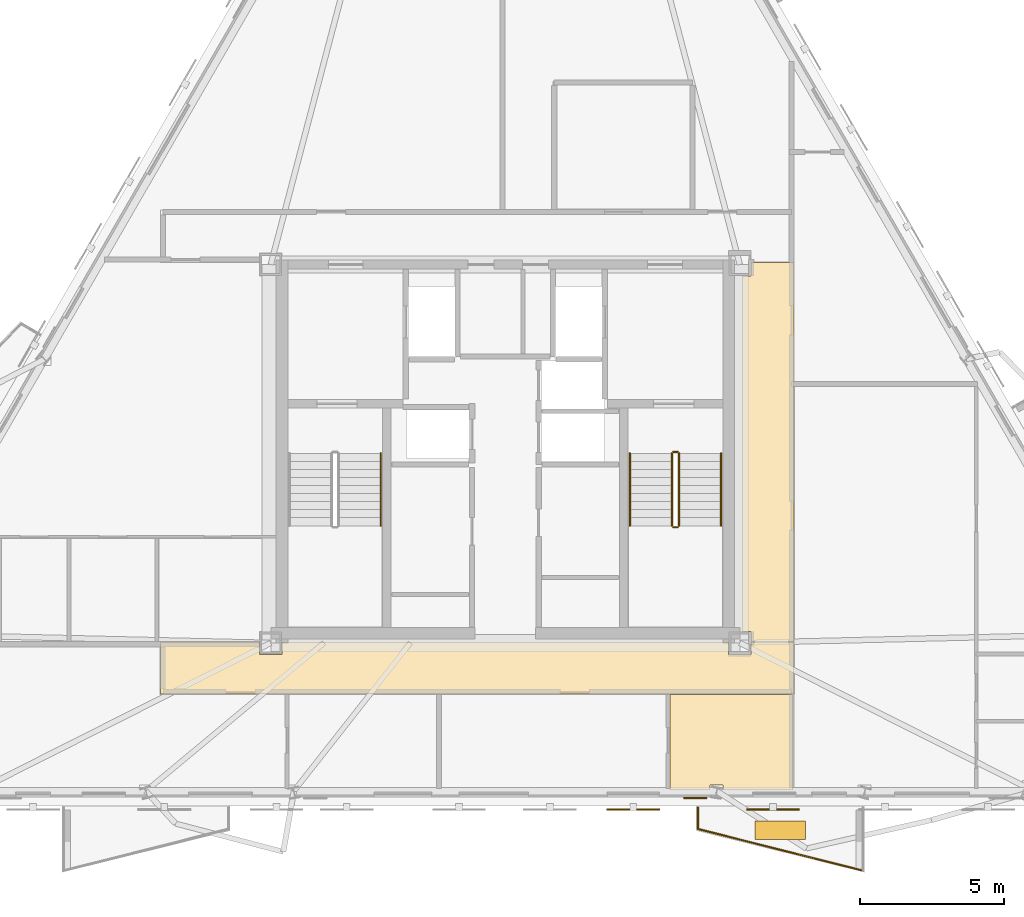
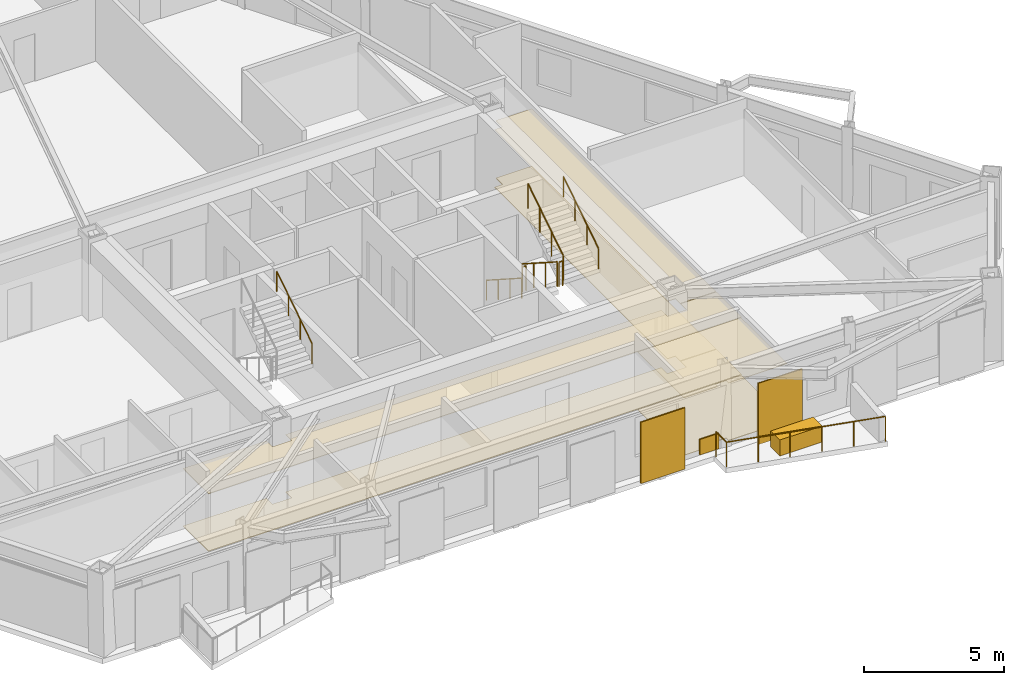
# One storey, part 8 of 9: 9 railings, 8 coverings, 2 shading devices.
"""IFC4 building model written with IfcOpenShell, lengths in metres."""

from ifc_helpers import new_model, si_unit, direction, frame, origin, origin_2d, place, context, subcontext, project, spatial, polyline, rectangle, circle, outline, extrude, material, layer, layer_set, type_object, element, save


model = new_model("IFC4")

# Units and contexts
model_context = context("Model", 3, precision=1e-05, world=origin(), true_north=direction((0.0, 1.0)))
body_context = subcontext(model_context, "Body", "Model", "MODEL_VIEW")
ifc_project = project(units=[si_unit("LENGTHUNIT", "METRE"), si_unit("AREAUNIT", "SQUARE_METRE"), si_unit("VOLUMEUNIT", "CUBIC_METRE"), si_unit("PLANEANGLEUNIT", "RADIAN"), si_unit("MASSUNIT", "GRAM", prefix="KILO")], contexts=[model_context])

# Site, building, storey
site_placement = place(None, origin())
site = spatial("IfcSite", under=ifc_project, at=site_placement, CompositionType="ELEMENT")
building_placement = place(site_placement, origin())
building = spatial("IfcBuilding", under=site, at=building_placement, Name="Oramaril Tower", CompositionType="ELEMENT")
storey_placement = place(building_placement, frame((0.0, 0.0, 223.5)))
storey = spatial("IfcBuildingStorey", under=building, at=storey_placement, Name="L59", CompositionType="ELEMENT", Elevation=223.5)

# Coverings
ifc_material_1 = material(Name="Mineral Fibre Acoustic Ceiling")
ifc_layer_1 = layer(ifc_material_1, 0.02001953125)
ifc_layer_set_1 = layer_set([ifc_layer_1], Name="CVT-CEIL")
covering_type_1 = type_object("IfcCoveringType", Name="CVT-CEIL", PredefinedType="CEILING", material=ifc_layer_set_1)
covering_1_placement = place(storey_placement, frame((0.0, 0.0, 2.511962890625)))
element("IfcCovering", 1, at=covering_1_placement, inside=storey, type_object=covering_type_1, Name="L59 Acoustic Suspended Ceiling 1", PredefinedType="CEILING", context=body_context, shape_type="SweptSolid", body=[
    extrude(outline(polyline([(28.955078125, 10.60498046875), (29.7451171875, 10.60498046875), (29.7451171875, 11.030029296875), (45.2548828125, 11.030029296875), (45.2548828125, 10.60498046875), (46.044921875, 10.60498046875), (46.044921875, 11.030029296875), (47.530029296875, 11.030029296875), (47.530029296875, 9.219970703125), (25.52001953125, 9.219970703125), (25.52001953125, 11.030029296875), (28.955078125, 11.030029296875), (28.955078125, 10.60498046875)])), origin(), (0.0, 0.0, 1.0), 0.02001953125),
])
covering_2_placement = place(storey_placement, frame((0.0, 0.0, 2.511962890625)))
element("IfcCovering", 2, at=covering_2_placement, inside=storey, type_object=covering_type_1, Name="L59 Acoustic Suspended Ceiling 3", PredefinedType="CEILING", context=body_context, shape_type="SweptSolid", body=[
    extrude(outline(polyline([(47.530029296875, 11.050048828125), (46.044921875, 11.050048828125), (46.044921875, 11.39501953125), (45.719970703125, 11.39501953125), (45.719970703125, 23.7548828125), (46.044921875, 23.7548828125), (46.044921875, 24.219970703125), (47.530029296875, 24.219970703125), (47.530029296875, 11.050048828125)])), origin(), (0.0, 0.0, 1.0), 0.02001953125),
])
covering_3_placement = place(storey_placement, frame((0.0, 0.0, 2.511962890625)))
element("IfcCovering", 3, at=covering_3_placement, inside=storey, type_object=covering_type_1, Name="L59 Acoustic Suspended Ceiling 8", PredefinedType="CEILING", context=body_context, shape_type="SweptSolid", body=[
    extrude(outline(polyline([(45.06787109375, 6.06884765625), (44.6181640625, 6.06884765625), (44.6181640625, 5.89208984375), (43.224609375, 5.89208984375), (43.224609375, 9.199951171875), (47.491943359375, 9.199951171875), (47.491943359375, 5.89208984375), (45.06787109375, 5.89208984375), (45.06787109375, 6.06884765625)])), origin(), (0.0, 0.0, 1.0), 0.02001953125),
])
ifc_material_2 = material(Name="Warm Cream Limestone", Category="masonry")
ifc_layer_2 = layer(ifc_material_2, 0.050048828125)
ifc_layer_set_2 = layer_set([ifc_layer_2], Name="CVT-CLD")
covering_type_2 = type_object("IfcCoveringType", Name="CVT-CLD", PredefinedType="CLADDING", material=ifc_layer_set_2)
covering_4_placement = place(storey_placement, frame((44.103759765625, 5.615966796875, 0.0400390625), z_axis=(0.0, 0.0, 1.0), x_axis=(1.0, 0.0, 0.0)))
element("IfcCovering", 4, at=covering_4_placement, inside=storey, type_object=covering_type_2, Name="L59 Warm Cream Limestone Spandrel Cladding", PredefinedType="CLADDING", context=body_context, shape_type="SweptSolid", body=[
    extrude(rectangle(XDim=0.800048828125, YDim=0.050048828125, at=origin_2d()), origin(), (0.0, 0.0, 1.0), 0.679931640625),
])
covering_5_placement = place(storey_placement, frame((47.0595703125, 4.487548828125, 0.0), z_axis=(0.0, 0.0, 1.0), x_axis=(1.0, 0.0, 0.0)))
element("IfcCovering", 5, at=covering_5_placement, inside=storey, type_object=covering_type_2, Name="L59 Structural Tree Planter Box L59-BAL-S2", PredefinedType="CLADDING", context=body_context, shape_type="SweptSolid", body=[
    extrude(rectangle(XDim=1.75, YDim=0.64990234375, at=origin_2d()), origin(), (0.0, 0.0, 1.0), 0.699951171875),
])
ifc_material_3 = material(Name="Honed Quartzite Stone Flooring", Category="masonry")
ifc_layer_3 = layer(ifc_material_3, 0.02490234375)
ifc_layer_set_3 = layer_set([ifc_layer_3], Name="CVT-FLR")
covering_type_3 = type_object("IfcCoveringType", Name="CVT-FLR", PredefinedType="FLOORING", material=ifc_layer_set_3)
covering_6_placement = place(storey_placement, origin())
element("IfcCovering", 6, at=covering_6_placement, inside=storey, type_object=covering_type_3, Name="L59 Honed Stone Floor Finish 1", PredefinedType="FLOORING", context=body_context, shape_type="SweptSolid", body=[
    extrude(outline(polyline([(28.955078125, 10.60498046875), (29.7451171875, 10.60498046875), (29.7451171875, 11.030029296875), (45.2548828125, 11.030029296875), (45.2548828125, 10.60498046875), (46.044921875, 10.60498046875), (46.044921875, 11.030029296875), (47.530029296875, 11.030029296875), (47.530029296875, 9.219970703125), (25.52001953125, 9.219970703125), (25.52001953125, 11.030029296875), (28.955078125, 11.030029296875), (28.955078125, 10.60498046875)])), origin(), (0.0, 0.0, 1.0), 0.02490234375),
])
covering_7_placement = place(storey_placement, origin())
element("IfcCovering", 7, at=covering_7_placement, inside=storey, type_object=covering_type_3, Name="L59 Honed Stone Floor Finish 3", PredefinedType="FLOORING", context=body_context, shape_type="SweptSolid", body=[
    extrude(outline(polyline([(47.530029296875, 11.050048828125), (46.044921875, 11.050048828125), (46.044921875, 11.39501953125), (45.719970703125, 11.39501953125), (45.719970703125, 23.7548828125), (46.044921875, 23.7548828125), (46.044921875, 24.219970703125), (47.530029296875, 24.219970703125), (47.530029296875, 11.050048828125)])), origin(), (0.0, 0.0, 1.0), 0.02490234375),
])
covering_8_placement = place(storey_placement, origin())
element("IfcCovering", 8, at=covering_8_placement, inside=storey, type_object=covering_type_3, Name="L59 Honed Stone Floor Finish 8", PredefinedType="FLOORING", context=body_context, shape_type="SweptSolid", body=[
    extrude(outline(polyline([(45.06787109375, 6.06884765625), (44.6181640625, 6.06884765625), (44.6181640625, 5.89208984375), (43.224609375, 5.89208984375), (43.224609375, 9.199951171875), (47.491943359375, 9.199951171875), (47.491943359375, 5.89208984375), (45.06787109375, 5.89208984375), (45.06787109375, 6.06884765625)])), origin(), (0.0, 0.0, 1.0), 0.02490234375),
])

# Railings
ifc_material_4 = material(Name="Stainless Steel 316L", Category="steel")
railing_type_1 = type_object("IfcRailingType", Name="RLT-GRD", PredefinedType="GUARDRAIL", material=ifc_material_4)
railing_1_placement = place(storey_placement, frame((49.924560546875, 3.083984375, 0.0)))
element("IfcRailing", 9, at=railing_1_placement, inside=storey, type_object=railing_type_1, Name="L59 Balcony Guardrail L59-BAL-S2.2", PredefinedType="GUARDRAIL", context=body_context, shape_type="SweptSolid", body=[
    extrude(circle(Radius=0.02392578125, at=origin_2d()), frame((0.0, 0.0, 1.076171875), z_axis=(-0.969443611257, 0.245314256807, 0.0), x_axis=(-0.245314256807, -0.969443611257, 0.0)), (0.0, 0.0, 1.0), 5.91064453125),
    extrude(circle(Radius=0.02099609375, at=origin_2d()), origin(), (0.0, 0.0, 1.0), 1.052001953125),
    extrude(circle(Radius=0.02099609375, at=origin_2d()), frame((-1.14599609375, 0.2900390625, 0.0)), (0.0, 0.0, 1.0), 1.052001953125),
    extrude(circle(Radius=0.02099609375, at=origin_2d()), frame((-2.2919921875, 0.580078125, 0.0)), (0.0, 0.0, 1.0), 1.052001953125),
    extrude(circle(Radius=0.02099609375, at=origin_2d()), frame((-3.43798828125, 0.869873046875, 0.0)), (0.0, 0.0, 1.0), 1.052001953125),
    extrude(circle(Radius=0.02099609375, at=origin_2d()), frame((-4.583984375, 1.159912109375, 0.0)), (0.0, 0.0, 1.0), 1.052001953125),
    extrude(circle(Radius=0.02099609375, at=origin_2d()), frame((-5.72998046875, 1.449951171875, 0.0)), (0.0, 0.0, 1.0), 1.052001953125),
])
railing_2_placement = place(storey_placement, frame((44.194580078125, 4.533935546875, 0.0)))
element("IfcRailing", 10, at=railing_2_placement, inside=storey, type_object=railing_type_1, Name="L59 Balcony Guardrail L59-BAL-S2.3", PredefinedType="GUARDRAIL", context=body_context, shape_type="SweptSolid", body=[
    extrude(circle(Radius=0.02392578125, at=origin_2d()), frame((0.0, 0.0, 1.076171875), z_axis=(0.0, 1.0, 0.0), x_axis=(-1.0, 0.0, 0.0)), (0.0, 0.0, 1.0), 0.741943359375),
    extrude(circle(Radius=0.02099609375, at=origin_2d()), origin(), (0.0, 0.0, 1.0), 1.052001953125),
    extrude(circle(Radius=0.02099609375, at=origin_2d()), frame((0.0, 0.741943359375, 0.0)), (0.0, 0.0, 1.0), 1.052001953125),
])
railing_3_placement = place(storey_placement, frame((43.2900390625, 17.590087890625, 0.179931640625)))
element("IfcRailing", 11, at=railing_3_placement, inside=storey, type_object=railing_type_1, Name="L59 ST-2 stair guard 1", PredefinedType="GUARDRAIL", context=body_context, shape_type="SweptSolid", body=[
    extrude(circle(Radius=0.02392578125, at=origin_2d()), frame((0.0, 0.0, 1.076171875), z_axis=(0.0, -0.841162588446, 0.540782303519), x_axis=(1.0, 0.0, 0.0)), (0.0, 0.0, 1.0), 2.995849609375),
    extrude(circle(Radius=0.02099609375, at=origin_2d()), origin(), (0.0, 0.0, 1.0), 1.052001953125),
    extrude(circle(Radius=0.02099609375, at=origin_2d()), frame((0.0, -0.840087890625, 0.5400390625)), (0.0, 0.0, 1.0), 1.052001953125),
    extrude(circle(Radius=0.02099609375, at=origin_2d()), frame((0.0, -1.679931640625, 1.080078125)), (0.0, 0.0, 1.0), 1.052001953125),
    extrude(circle(Radius=0.02099609375, at=origin_2d()), frame((0.0, -2.52001953125, 1.6201171875)), (0.0, 0.0, 1.0), 1.052001953125),
])
railing_4_placement = place(storey_placement, frame((43.340087890625, 15.02001953125, 1.800048828125)))
element("IfcRailing", 12, at=railing_4_placement, inside=storey, type_object=railing_type_1, Name="L59 ST-2 stair guard 2", PredefinedType="GUARDRAIL", context=body_context, shape_type="SweptSolid", body=[
    extrude(circle(Radius=0.02392578125, at=origin_2d()), frame((0.0, 0.0, 1.076171875), z_axis=(1.0, 0.0, 0.0), x_axis=(0.0, 1.0, 0.0)), (0.0, 0.0, 1.0), 0.14990234375),
    extrude(circle(Radius=0.02099609375, at=origin_2d()), origin(), (0.0, 0.0, 1.0), 1.052001953125),
    extrude(circle(Radius=0.02099609375, at=origin_2d()), frame((0.14990234375, 0.0, 0.0)), (0.0, 0.0, 1.0), 1.052001953125),
])
railing_5_placement = place(storey_placement, frame((43.5400390625, 15.070068359375, 1.97998046875)))
element("IfcRailing", 13, at=railing_5_placement, inside=storey, type_object=railing_type_1, Name="L59 ST-2 stair guard 3", PredefinedType="GUARDRAIL", context=body_context, shape_type="SweptSolid", body=[
    extrude(circle(Radius=0.02392578125, at=origin_2d()), frame((0.0, 0.0, 1.076171875), z_axis=(0.0, 0.841162588446, 0.540782303519), x_axis=(-1.0, 0.0, 0.0)), (0.0, 0.0, 1.0), 2.995849609375),
    extrude(circle(Radius=0.02099609375, at=origin_2d()), origin(), (0.0, 0.0, 1.0), 1.052001953125),
    extrude(circle(Radius=0.02099609375, at=origin_2d()), frame((0.0, 0.840087890625, 0.5400390625)), (0.0, 0.0, 1.0), 1.052001953125),
    extrude(circle(Radius=0.02099609375, at=origin_2d()), frame((0.0, 1.679931640625, 1.080078125)), (0.0, 0.0, 1.0), 1.052001953125),
    extrude(circle(Radius=0.02099609375, at=origin_2d()), frame((0.0, 2.52001953125, 1.6201171875)), (0.0, 0.0, 1.0), 1.052001953125),
])
railing_6_placement = place(storey_placement, frame((43.340087890625, 17.639892578125, 0.0)))
element("IfcRailing", 14, at=railing_6_placement, inside=storey, type_object=railing_type_1, Name="L59 ST-2 stair guard 4", PredefinedType="GUARDRAIL", context=body_context, shape_type="SweptSolid", body=[
    extrude(circle(Radius=0.02392578125, at=origin_2d()), frame((0.0, 0.0, 1.076171875), z_axis=(1.0, 0.0, 0.0), x_axis=(0.0, 1.0, 0.0)), (0.0, 0.0, 1.0), 0.14990234375),
    extrude(circle(Radius=0.02099609375, at=origin_2d()), origin(), (0.0, 0.0, 1.0), 1.052001953125),
    extrude(circle(Radius=0.02099609375, at=origin_2d()), frame((0.14990234375, 0.0, 0.0)), (0.0, 0.0, 1.0), 1.052001953125),
])
ifc_material_5 = material(Name="Stainless Steel 316L", Category="steel")
railing_type_2 = type_object("IfcRailingType", Name="RLT-HND", PredefinedType="HANDRAIL", material=ifc_material_5)
railing_7_placement = place(storey_placement, frame((33.169921875, 15.070068359375, 1.97998046875)))
element("IfcRailing", 15, at=railing_7_placement, inside=storey, type_object=railing_type_2, Name="L59 ST-1 stair handrail 2", PredefinedType="HANDRAIL", context=body_context, shape_type="SweptSolid", body=[
    extrude(circle(Radius=0.02392578125, at=origin_2d()), frame((0.0, 0.0, 0.8759765625), z_axis=(0.0, 0.841162588446, 0.540782303519), x_axis=(-1.0, 0.0, 0.0)), (0.0, 0.0, 1.0), 2.995849609375),
    extrude(circle(Radius=0.02099609375, at=origin_2d()), origin(), (0.0, 0.0, 1.0), 0.851806640625),
    extrude(circle(Radius=0.02099609375, at=origin_2d()), frame((0.0, 0.840087890625, 0.5400390625)), (0.0, 0.0, 1.0), 0.851806640625),
    extrude(circle(Radius=0.02099609375, at=origin_2d()), frame((0.0, 1.679931640625, 1.080078125)), (0.0, 0.0, 1.0), 0.851806640625),
    extrude(circle(Radius=0.02099609375, at=origin_2d()), frame((0.0, 2.52001953125, 1.6201171875)), (0.0, 0.0, 1.0), 0.851806640625),
])
railing_8_placement = place(storey_placement, frame((41.830078125, 17.590087890625, 0.179931640625)))
element("IfcRailing", 16, at=railing_8_placement, inside=storey, type_object=railing_type_2, Name="L59 ST-2 stair handrail 1", PredefinedType="HANDRAIL", context=body_context, shape_type="SweptSolid", body=[
    extrude(circle(Radius=0.02392578125, at=origin_2d()), frame((0.0, 0.0, 0.8759765625), z_axis=(0.0, -0.841162588446, 0.540782303519), x_axis=(1.0, 0.0, 0.0)), (0.0, 0.0, 1.0), 2.995849609375),
    extrude(circle(Radius=0.02099609375, at=origin_2d()), origin(), (0.0, 0.0, 1.0), 0.851806640625),
    extrude(circle(Radius=0.02099609375, at=origin_2d()), frame((0.0, -0.840087890625, 0.5400390625)), (0.0, 0.0, 1.0), 0.851806640625),
    extrude(circle(Radius=0.02099609375, at=origin_2d()), frame((0.0, -1.679931640625, 1.080078125)), (0.0, 0.0, 1.0), 0.851806640625),
    extrude(circle(Radius=0.02099609375, at=origin_2d()), frame((0.0, -2.52001953125, 1.6201171875)), (0.0, 0.0, 1.0), 0.851806640625),
])
railing_9_placement = place(storey_placement, frame((45.0, 15.070068359375, 1.97998046875)))
element("IfcRailing", 17, at=railing_9_placement, inside=storey, type_object=railing_type_2, Name="L59 ST-2 stair handrail 2", PredefinedType="HANDRAIL", context=body_context, shape_type="SweptSolid", body=[
    extrude(circle(Radius=0.02392578125, at=origin_2d()), frame((0.0, 0.0, 0.8759765625), z_axis=(0.0, 0.841162588446, 0.540782303519), x_axis=(-1.0, 0.0, 0.0)), (0.0, 0.0, 1.0), 2.995849609375),
    extrude(circle(Radius=0.02099609375, at=origin_2d()), origin(), (0.0, 0.0, 1.0), 0.851806640625),
    extrude(circle(Radius=0.02099609375, at=origin_2d()), frame((0.0, 0.840087890625, 0.5400390625)), (0.0, 0.0, 1.0), 0.851806640625),
    extrude(circle(Radius=0.02099609375, at=origin_2d()), frame((0.0, 1.679931640625, 1.080078125)), (0.0, 0.0, 1.0), 0.851806640625),
    extrude(circle(Radius=0.02099609375, at=origin_2d()), frame((0.0, 2.52001953125, 1.6201171875)), (0.0, 0.0, 1.0), 0.851806640625),
])

# Shading devices
for number, where, z_axis, x_axis, name in (
    (18, (41.947998046875, 5.2041015625, -0.02001953125), (0.0, 0.0, 1.0), (1.0, 0.0, 0.0), "L59 Perforated Ceramic Solar Screen"),
    (19, (46.800048828125, 5.2041015625, -0.02001953125), (0.0, 0.0, 1.0), (1.0, 0.0, 0.0), "L59 Perforated Ceramic Solar Screen"),
):
    element("IfcShadingDevice", number, at=place(storey_placement, frame(where, z_axis=z_axis, x_axis=x_axis)), inside=storey, Name=name, ObjectType="SCREEN", PredefinedType="USERDEFINED", context=body_context, shape_type="SweptSolid", body=[
        extrude(rectangle(XDim=1.8330078125, YDim=0.050048828125, at=origin_2d()), origin(), (0.0, 0.0, 1.0), 2.677001953125),
    ])

save(model, "model.ifc")
